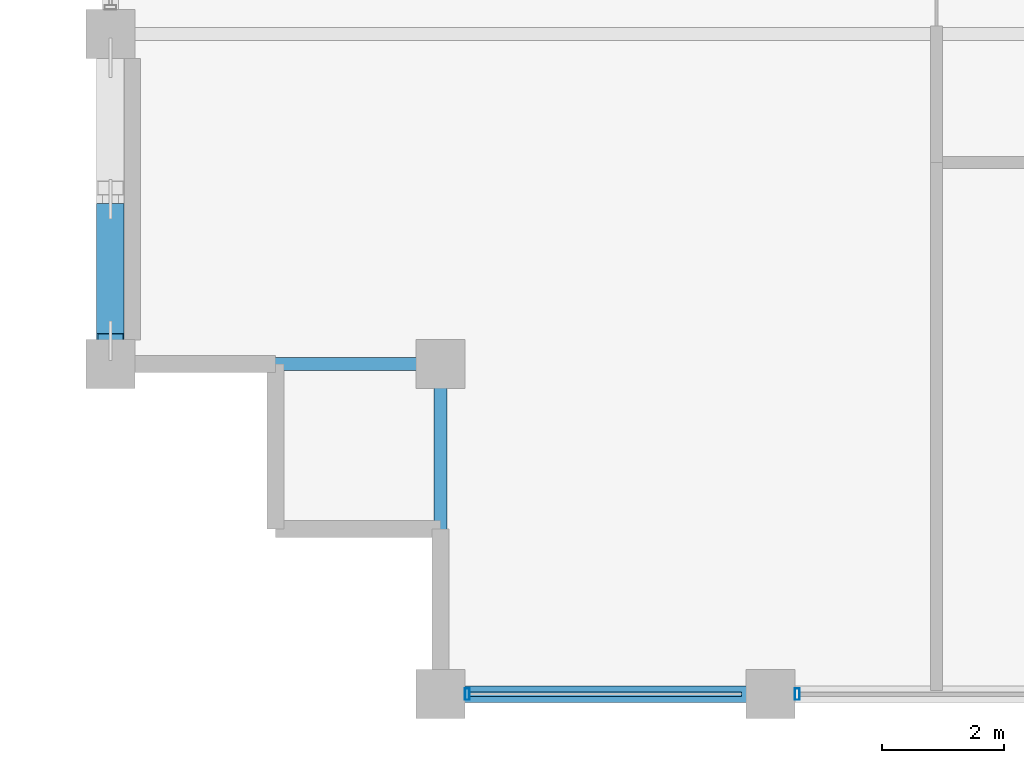
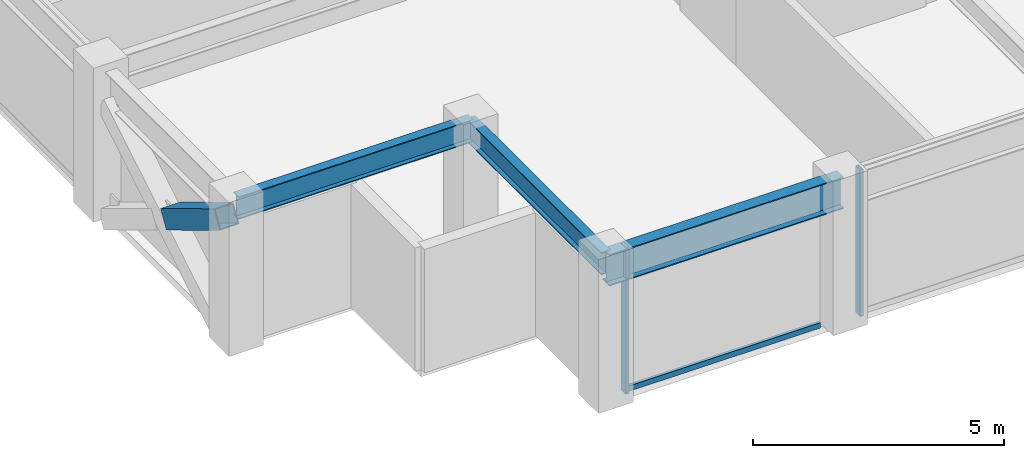
# One storey, part 2 of 30: 4 members, 3 beams, 1 element without a shape of its own.
"""IFC4 building model written with IfcOpenShell, lengths in metres."""

from ifc_helpers import new_model, si_unit, direction, frame, origin, origin_2d, place, context, subcontext, project, spatial, hollow_rectangle, i_section, extrude, material, layer, layer_set, material_profile, profile_set, type_object, element, aggregate, save


model = new_model("IFC4")

# Units and contexts
model_context = context("Model", 3, precision=1e-05, world=origin(), true_north=direction((0.0, 1.0)))
body_context = subcontext(model_context, "Body", "Model", "MODEL_VIEW")
ifc_project = project(units=[si_unit("LENGTHUNIT", "METRE"), si_unit("AREAUNIT", "SQUARE_METRE"), si_unit("VOLUMEUNIT", "CUBIC_METRE"), si_unit("PLANEANGLEUNIT", "RADIAN"), si_unit("MASSUNIT", "GRAM", prefix="KILO")], contexts=[model_context])

# Site, building, storey
site_placement = place(None, origin())
site = spatial("IfcSite", under=ifc_project, at=site_placement, CompositionType="ELEMENT")
building_placement = place(site_placement, origin())
building = spatial("IfcBuilding", under=site, at=building_placement, Name="Surkhivell Harbour Commons", CompositionType="ELEMENT")
storey_placement = place(building_placement, frame((0.0, 0.0, 227.25)))
storey = spatial("IfcBuildingStorey", under=building, at=storey_placement, Name="L59", CompositionType="ELEMENT", Elevation=227.25)

# Beams
ifc_material_1 = material(Name="Steel S355", Category="steel")
ifc_material_profile_1 = material_profile(ifc_material_1, i_section(OverallWidth=0.2119140625, OverallDepth=0.5439453125, WebThickness=0.0126953125, FlangeThickness=0.021240234375, at=origin_2d()), Name="UB533x210x122")
ifc_profile_set_1 = profile_set([ifc_material_profile_1], Name="Steel S355")
beam_type_1 = type_object("IfcBeamType", Name="BM-GRD-533A", PredefinedType="BEAM", material=ifc_profile_set_1)
beam_1_placement = place(storey_placement, frame((-27.0, -16.199951171875, 3.298095703125), z_axis=(1.0, 0.0, 0.0), x_axis=(0.0, 1.0, 0.0)))
element("IfcBeam", 1, at=beam_1_placement, inside=storey, type_object=beam_type_1, Name="L59 Floor Girder (-27.0,-16.2)", PredefinedType="BEAM", context=body_context, shape_type="SweptSolid", body=[
    extrude(i_section(OverallWidth=0.2119140625, OverallDepth=0.5439453125, WebThickness=0.0126953125, FlangeThickness=0.021240234375, at=origin_2d()), origin(), (0.0, 0.0, 1.0), 5.39990234375),
])
beam_2_placement = place(storey_placement, frame((-21.60009765625, -21.60009765625, 3.298095703125), z_axis=(0.0, 1.0, 0.0), x_axis=(-1.0, 0.0, 0.0)))
element("IfcBeam", 2, at=beam_2_placement, inside=storey, type_object=beam_type_1, Name="L59 Floor Girder (-21.6,-21.6)", PredefinedType="BEAM", context=body_context, shape_type="SweptSolid", body=[
    extrude(i_section(OverallWidth=0.2119140625, OverallDepth=0.5439453125, WebThickness=0.0126953125, FlangeThickness=0.021240234375, at=origin_2d()), origin(), (0.0, 0.0, 1.0), 5.400146484375),
])
ifc_material_profile_2 = material_profile(ifc_material_1, i_section(OverallWidth=0.26806640625, OverallDepth=0.77001953125, WebThickness=0.015625, FlangeThickness=0.025390625, at=origin_2d()), Name="UB762x267x197")
ifc_profile_set_2 = profile_set([ifc_material_profile_2], Name="Steel S355")
beam_type_2 = type_object("IfcBeamType", Name="BM-SPN-762", PredefinedType="SPANDREL", material=ifc_profile_set_2)
beam_3_placement = place(storey_placement, frame((-21.60009765625, -21.60009765625, 3.18505859375), z_axis=(1.0, 0.0, 0.0), x_axis=(0.0, 1.0, 0.0)))
element("IfcBeam", 3, at=beam_3_placement, inside=storey, type_object=beam_type_2, Name="L59 Tube Spandrel (-21.6,-21.6)", PredefinedType="SPANDREL", context=body_context, shape_type="SweptSolid", body=[
    extrude(i_section(OverallWidth=0.26806640625, OverallDepth=0.77001953125, WebThickness=0.015625, FlangeThickness=0.025390625, at=origin_2d()), origin(), (0.0, 0.0, 1.0), 5.400146484375),
])

# Curtain wall, members
ifc_material_2 = material(Name="Anodised pale-metal aluminium and insulated glazing", Category="aluminium")
ifc_layer = layer(ifc_material_2, 0.18994140625)
ifc_layer_set = layer_set([ifc_layer], Name="Anodised pale-metal aluminium and insulated glazing")
curtain_wall_type = type_object("IfcCurtainWallType", Name="CW-SYS-Z3", PredefinedType="NOTDEFINED", material=ifc_layer_set)
curtain_wall_placement = place(storey_placement, origin())
curtain_wall = element("IfcCurtainWall", 4, at=curtain_wall_placement, inside=storey, type_object=curtain_wall_type, Name="L59 Curtain Wall CW-L59-E00S1", PredefinedType="NOTDEFINED")
ifc_material_3 = material(Name="Anodised pale-metal aluminium alloy 6063-T6", Category="aluminium")
ifc_material_profile_3 = material_profile(ifc_material_3, hollow_rectangle(XDim=0.074951171875, YDim=0.18994140625, WallThickness=0.00390625, at=origin_2d()), Name="ALU-MULL-75x190")
ifc_profile_set_3 = profile_set([ifc_material_profile_3], Name="Anodised pale-metal aluminium alloy 6063-T6")
member_type_1 = type_object("IfcMemberType", Name="CWM-190", PredefinedType="MULLION", material=ifc_profile_set_3)
member_1_placement = place(storey_placement, frame((-21.160400390625, -21.60009765625, 0.0), z_axis=(0.0, 0.0, 1.0), x_axis=(1.0, 0.0, 0.0)))
member_1 = element("IfcMember", 5, at=member_1_placement, type_object=member_type_1, Name="CW-Z3 mullion 1", PredefinedType="MULLION", context=body_context, shape_type="SweptSolid", body=[
    extrude(hollow_rectangle(XDim=0.074951171875, YDim=0.18994140625, WallThickness=0.00390625, at=origin_2d()), origin(), (0.0, 0.0, 1.0), 3.570068359375),
])
member_2_placement = place(storey_placement, frame((-15.760498046875, -21.60009765625, 0.0), z_axis=(0.0, 0.0, 1.0), x_axis=(1.0, 0.0, 0.0)))
member_2 = element("IfcMember", 6, at=member_2_placement, type_object=member_type_1, Name="CW-Z3 mullion 2", PredefinedType="MULLION", context=body_context, shape_type="SweptSolid", body=[
    extrude(hollow_rectangle(XDim=0.074951171875, YDim=0.18994140625, WallThickness=0.00390625, at=origin_2d()), origin(), (0.0, 0.0, 1.0), 3.570068359375),
])
ifc_material_4 = material(Name="Champagne anodised aluminium alloy 6063-T6", Category="aluminium")
ifc_material_profile_4 = material_profile(ifc_material_4, hollow_rectangle(XDim=0.070068359375, YDim=0.1298828125, WallThickness=0.00341796875, at=origin_2d()), Name="ALU-TRAN-70x130")
ifc_profile_set_4 = profile_set([ifc_material_profile_4], Name="Champagne anodised aluminium alloy 6063-T6")
member_type_2 = type_object("IfcMemberType", Name="CWT-130", PredefinedType="USERDEFINED", material=ifc_profile_set_4)
member_3_placement = place(storey_placement, frame((-21.123046875, -21.60009765625, 0.06494140625), z_axis=(1.0, 0.0, 0.0), x_axis=(0.0, 1.0, 0.0)))
member_3 = element("IfcMember", 7, at=member_3_placement, type_object=member_type_2, Name="CW-Z3 transom 1.1", ObjectType="TRANSOM", PredefinedType="USERDEFINED", context=body_context, shape_type="SweptSolid", body=[
    extrude(hollow_rectangle(XDim=0.070068359375, YDim=0.1298828125, WallThickness=0.00341796875, at=origin_2d()), origin(), (0.0, 0.0, 1.0), 4.446044921875),
])
aggregate(curtain_wall, [member_1, member_3, member_2])

# Member
ifc_material_5 = material(Name="Steel S460", Category="steel")
ifc_material_profile_5 = material_profile(ifc_material_5, hollow_rectangle(XDim=0.449951171875, YDim=0.449951171875, WallThickness=0.02197265625, at=origin_2d()), Name="SHS450x450x22")
ifc_profile_set_5 = profile_set([ifc_material_profile_5], Name="Steel S460")
member_type_3 = type_object("IfcMemberType", Name="MEM-BRC-SHS450", PredefinedType="BRACE", material=ifc_profile_set_5)
member_4_placement = place(storey_placement, frame((-27.0, -13.684814453125, 1.517578125), z_axis=(0.0, -0.856017753989, 0.516946423584), x_axis=(1.0, 0.0, 0.0)))
element("IfcMember", 8, at=member_4_placement, inside=storey, type_object=member_type_3, Name="L59 Perimeter Mega-Brace MB- 12", PredefinedType="BRACE", context=body_context, shape_type="SweptSolid", body=[
    extrude(hollow_rectangle(XDim=0.449951171875, YDim=0.449951171875, WallThickness=0.02197265625, at=origin_2d()), origin(), (0.0, 0.0, 1.0), 2.488525390625),
])

save(model, "model.ifc")
